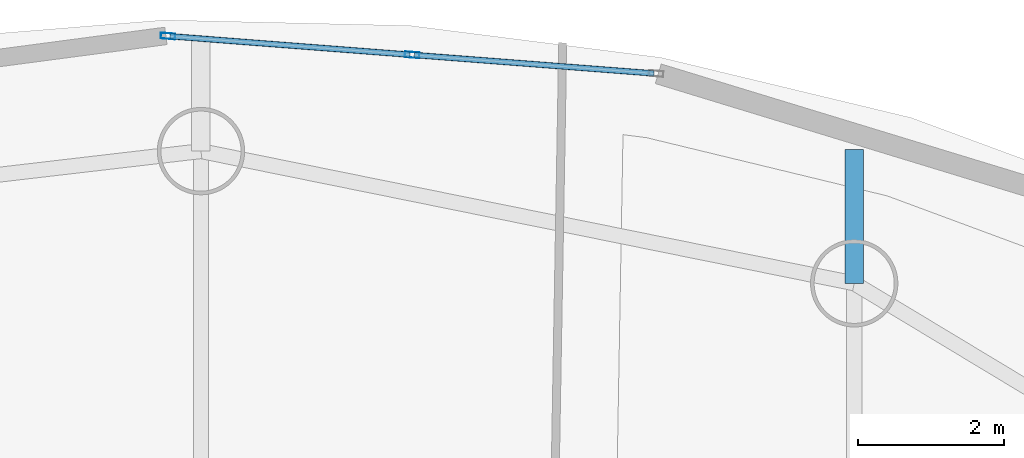
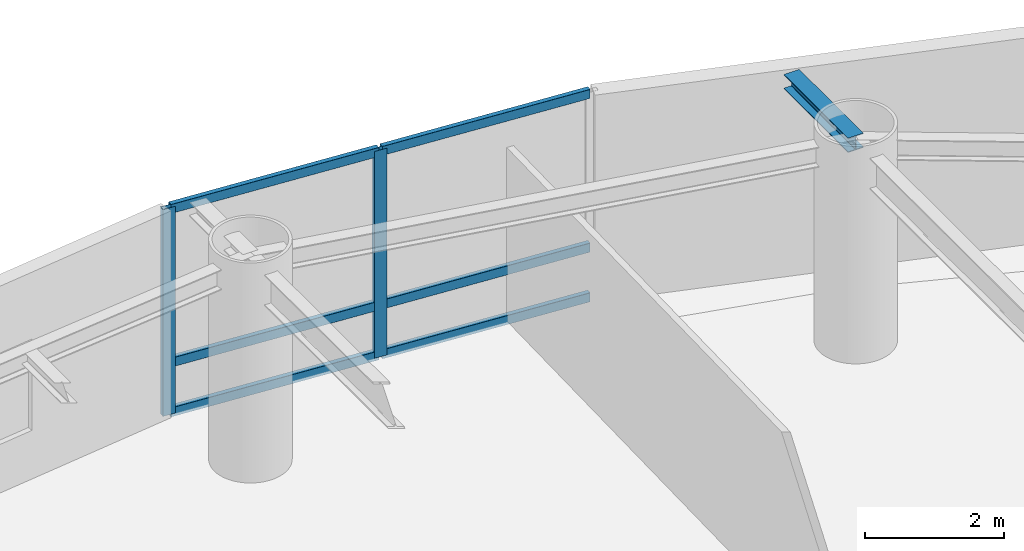
# One storey, part 13 of 21: 8 members, 1 beam, 1 element without a shape of its own.
"""IFC4 building model written with IfcOpenShell, lengths in metres."""

from ifc_helpers import new_model, si_unit, direction, frame, origin, origin_2d, place, context, subcontext, project, spatial, hollow_rectangle, i_section, extrude, material, layer, layer_set, material_profile, profile_set, type_object, element, aggregate, save


model = new_model("IFC4")

# Units and contexts
model_context = context("Model", 3, precision=1e-05, world=origin(), true_north=direction((0.0, 1.0)))
body_context = subcontext(model_context, "Body", "Model", "MODEL_VIEW")
ifc_project = project(units=[si_unit("LENGTHUNIT", "METRE"), si_unit("AREAUNIT", "SQUARE_METRE"), si_unit("VOLUMEUNIT", "CUBIC_METRE"), si_unit("PLANEANGLEUNIT", "RADIAN"), si_unit("MASSUNIT", "GRAM", prefix="KILO")], contexts=[model_context])

# Site, building, storey
site_placement = place(None, origin())
site = spatial("IfcSite", under=ifc_project, at=site_placement, CompositionType="ELEMENT")
building_placement = place(site_placement, origin())
building = spatial("IfcBuilding", under=site, at=building_placement, Name="Bramvorn Convention Spire", CompositionType="ELEMENT")
storey_placement = place(building_placement, frame((0.0, 0.0, 186.60009765625)))
storey = spatial("IfcBuildingStorey", under=building, at=storey_placement, Name="L47", CompositionType="ELEMENT", Elevation=186.60009765625)

# Beam
ifc_material_1 = material(Name="Steel CSA G40.21 Grade 350 (350W)", Category="steel")
ifc_material_profile_1 = material_profile(ifc_material_1, i_section(OverallWidth=0.25390625, OverallDepth=0.2529296875, WebThickness=0.008544921875, FlangeThickness=0.01416015625, FilletRadius=0.011962890625, at=origin_2d()))
ifc_profile_set_1 = profile_set([ifc_material_profile_1], Name="Steel CSA G40.21 Grade 350 (350W) - W250X73")
beam_type = type_object("IfcBeamType", Name="BM-W250X73", PredefinedType="BEAM", material=ifc_profile_set_1)
beam_placement = place(storey_placement, frame((42.38916015625, 44.772216796875, 3.493408203125), z_axis=(0.0, 1.0, 0.0), x_axis=(-1.0, 0.0, 0.0)))
element("IfcBeam", 1, at=beam_placement, inside=storey, type_object=beam_type, Name="L47 slab-edge cantilever tip beam MC06", PredefinedType="BEAM", context=body_context, shape_type="SweptSolid", body=[
    extrude(i_section(OverallWidth=0.25390625, OverallDepth=0.2529296875, WebThickness=0.008544921875, FlangeThickness=0.01416015625, FilletRadius=0.011962890625, at=origin_2d()), origin(), (0.0, 0.0, 1.0), 1.8388671875),
])

# Curtain wall, members
ifc_material_2 = material(Name="Anodised Bronze Unitised Curtain Wall", Category="aluminium")
ifc_layer = layer(ifc_material_2, 0.179931640625)
ifc_layer_set = layer_set([ifc_layer], Name="Anodised Bronze Unitised Curtain Wall - CW-OFF-FRIT")
curtain_wall_type = type_object("IfcCurtainWallType", Name="CW-OFF-FRIT", PredefinedType="USERDEFINED", material=ifc_layer_set)
curtain_wall_placement = place(storey_placement, origin())
curtain_wall = element("IfcCurtainWall", 2, at=curtain_wall_placement, inside=storey, type_object=curtain_wall_type, Name="L47 fritted glass curtain wall 09", ObjectType="UNITISED CURTAIN WALL", PredefinedType="USERDEFINED")
ifc_material_3 = material(Name="Anodised Bronze Aluminium 6063-T6", Category="aluminium")
ifc_material_profile_2 = material_profile(ifc_material_3, hollow_rectangle(XDim=0.080078125, YDim=0.199951171875, WallThickness=0.00390625, InnerFilletRadius=0.0009765625, OuterFilletRadius=0.00390625, at=origin_2d()))
ifc_profile_set_2 = profile_set([ifc_material_profile_2], Name="Anodised Bronze Aluminium 6063-T6 - CWM80X200")
member_type_1 = type_object("IfcMemberType", Name="CW-MUL-180", PredefinedType="MULLION", material=ifc_profile_set_2)
member_1_placement = place(storey_placement, frame((32.963623046875, 48.168701171875, 0.0), z_axis=(0.0, 0.0, 1.0), x_axis=(0.076675083187, 0.997056132632, 0.0)))
member_1 = element("IfcMember", 3, at=member_1_placement, type_object=member_type_1, Name="CW3 mullion 1", PredefinedType="MULLION", context=body_context, shape_type="SweptSolid", body=[
    extrude(hollow_rectangle(XDim=0.080078125, YDim=0.199951171875, WallThickness=0.00390625, InnerFilletRadius=0.0009765625, OuterFilletRadius=0.00390625, at=origin_2d()), origin(), (0.0, 0.0, 1.0), 3.619873046875),
])
member_2_placement = place(storey_placement, frame((36.31591796875, 47.910888671875, 0.0), z_axis=(0.0, 0.0, 1.0), x_axis=(0.076675083187, 0.997056132632, 0.0)))
member_2 = element("IfcMember", 4, at=member_2_placement, type_object=member_type_1, Name="CW3 mullion 2", PredefinedType="MULLION", context=body_context, shape_type="SweptSolid", body=[
    extrude(hollow_rectangle(XDim=0.080078125, YDim=0.199951171875, WallThickness=0.00390625, InnerFilletRadius=0.0009765625, OuterFilletRadius=0.00390625, at=origin_2d()), origin(), (0.0, 0.0, 1.0), 3.619873046875),
])
ifc_material_profile_3 = material_profile(ifc_material_3, hollow_rectangle(XDim=0.080078125, YDim=0.159912109375, WallThickness=0.00390625, InnerFilletRadius=0.0009765625, OuterFilletRadius=0.00390625, at=origin_2d()))
ifc_profile_set_3 = profile_set([ifc_material_profile_3], Name="Anodised Bronze Aluminium 6063-T6 - CWT80X160")
member_type_2 = type_object("IfcMemberType", Name="CW-TRN-150", PredefinedType="USERDEFINED", material=ifc_profile_set_3)
member_3_placement = place(storey_placement, frame((32.993408203125, 48.16650390625, 0.02978515625), z_axis=(0.997051005309, -0.076741727978, 0.0), x_axis=(0.076741727978, 0.997051005309, 0.0)))
member_3 = element("IfcMember", 5, at=member_3_placement, type_object=member_type_2, Name="CW3 transom 1.1", ObjectType="TRANSOM", PredefinedType="USERDEFINED", context=body_context, shape_type="SweptSolid", body=[
    extrude(hollow_rectangle(XDim=0.080078125, YDim=0.159912109375, WallThickness=0.00390625, InnerFilletRadius=0.0009765625, OuterFilletRadius=0.00390625, at=origin_2d()), origin(), (0.0, 0.0, 1.0), 3.30224609375),
])
member_4_placement = place(storey_placement, frame((32.993408203125, 48.16650390625, 0.89990234375), z_axis=(0.997051005309, -0.076741727978, 0.0), x_axis=(0.076741727978, 0.997051005309, 0.0)))
member_4 = element("IfcMember", 6, at=member_4_placement, type_object=member_type_2, Name="CW3 transom 1.2", ObjectType="TRANSOM", PredefinedType="USERDEFINED", context=body_context, shape_type="SweptSolid", body=[
    extrude(hollow_rectangle(XDim=0.080078125, YDim=0.159912109375, WallThickness=0.00390625, InnerFilletRadius=0.0009765625, OuterFilletRadius=0.00390625, at=origin_2d()), origin(), (0.0, 0.0, 1.0), 3.30224609375),
])
member_5_placement = place(storey_placement, frame((32.993408203125, 48.16650390625, 3.58984375), z_axis=(0.997051005309, -0.076741727978, 0.0), x_axis=(0.076741727978, 0.997051005309, 0.0)))
member_5 = element("IfcMember", 7, at=member_5_placement, type_object=member_type_2, Name="CW3 transom 1.3", ObjectType="TRANSOM", PredefinedType="USERDEFINED", context=body_context, shape_type="SweptSolid", body=[
    extrude(hollow_rectangle(XDim=0.080078125, YDim=0.159912109375, WallThickness=0.00390625, InnerFilletRadius=0.0009765625, OuterFilletRadius=0.00390625, at=origin_2d()), origin(), (0.0, 0.0, 1.0), 3.30224609375),
])
member_6_placement = place(storey_placement, frame((36.345703125, 47.90869140625, 0.02978515625), z_axis=(0.997056659593, -0.076668230461, 0.0), x_axis=(0.076668230461, 0.997056659593, 0.0)))
member_6 = element("IfcMember", 8, at=member_6_placement, type_object=member_type_2, Name="CW3 transom 2.1", ObjectType="TRANSOM", PredefinedType="USERDEFINED", context=body_context, shape_type="SweptSolid", body=[
    extrude(hollow_rectangle(XDim=0.080078125, YDim=0.159912109375, WallThickness=0.00390625, InnerFilletRadius=0.0009765625, OuterFilletRadius=0.00390625, at=origin_2d()), origin(), (0.0, 0.0, 1.0), 3.30224609375),
])
member_7_placement = place(storey_placement, frame((36.345703125, 47.90869140625, 0.89990234375), z_axis=(0.997056659593, -0.076668230461, 0.0), x_axis=(0.076668230461, 0.997056659593, 0.0)))
member_7 = element("IfcMember", 9, at=member_7_placement, type_object=member_type_2, Name="CW3 transom 2.2", ObjectType="TRANSOM", PredefinedType="USERDEFINED", context=body_context, shape_type="SweptSolid", body=[
    extrude(hollow_rectangle(XDim=0.080078125, YDim=0.159912109375, WallThickness=0.00390625, InnerFilletRadius=0.0009765625, OuterFilletRadius=0.00390625, at=origin_2d()), origin(), (0.0, 0.0, 1.0), 3.30224609375),
])
member_8_placement = place(storey_placement, frame((36.345703125, 47.90869140625, 3.58984375), z_axis=(0.997056659593, -0.076668230461, 0.0), x_axis=(0.076668230461, 0.997056659593, 0.0)))
member_8 = element("IfcMember", 10, at=member_8_placement, type_object=member_type_2, Name="CW3 transom 2.3", ObjectType="TRANSOM", PredefinedType="USERDEFINED", context=body_context, shape_type="SweptSolid", body=[
    extrude(hollow_rectangle(XDim=0.080078125, YDim=0.159912109375, WallThickness=0.00390625, InnerFilletRadius=0.0009765625, OuterFilletRadius=0.00390625, at=origin_2d()), origin(), (0.0, 0.0, 1.0), 3.30224609375),
])
aggregate(curtain_wall, [member_1, member_2, member_3, member_4, member_5, member_6, member_7, member_8])

save(model, "model.ifc")
